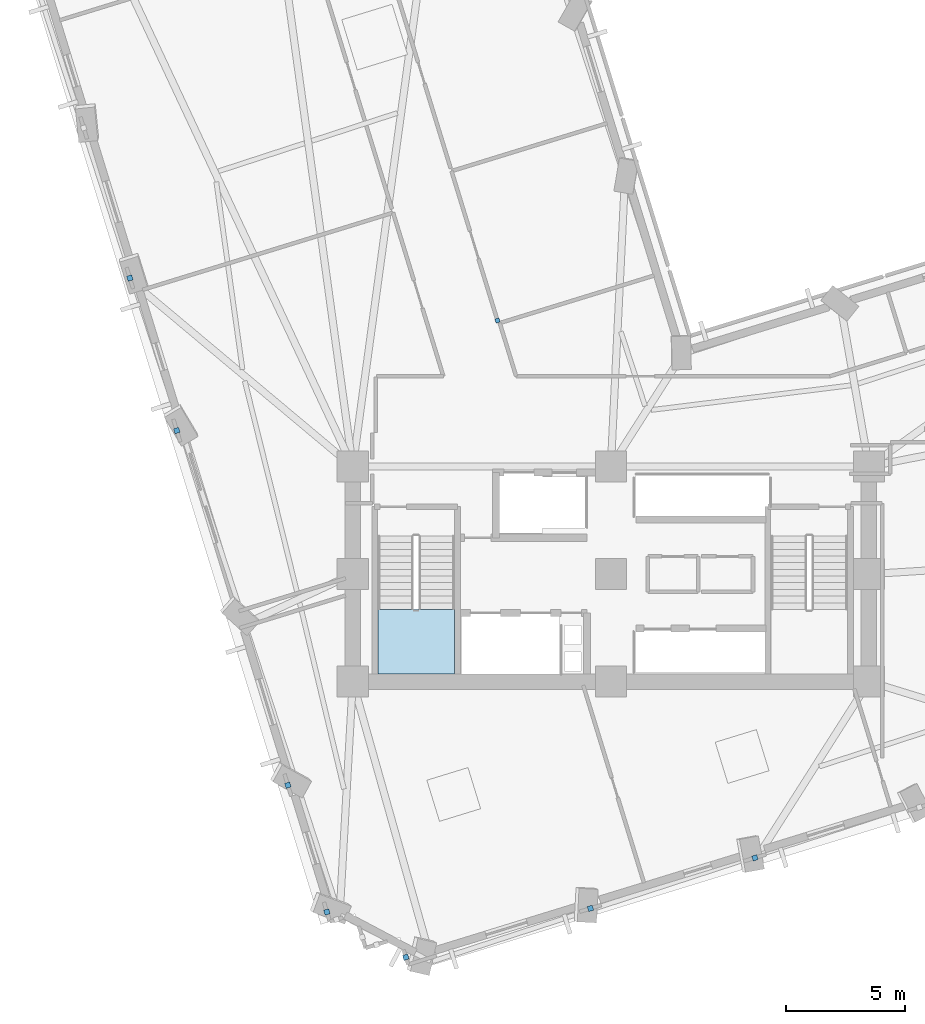
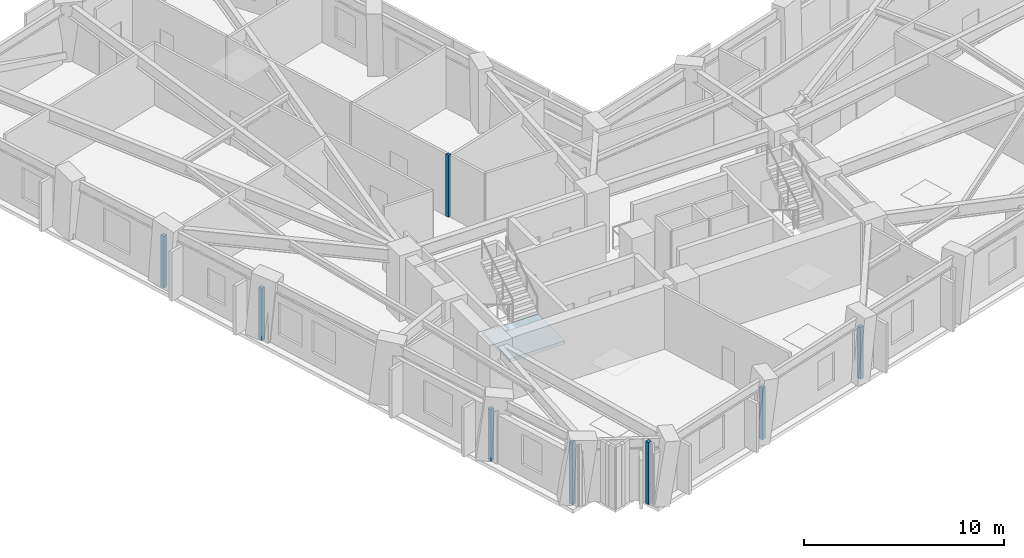
# One storey, part 3 of 14: 8 plates, 1 slab, 1 element without a shape of its own.
"""IFC4 building model written with IfcOpenShell, lengths in metres."""

import ifcopenshell
import ifcopenshell.guid

model = None  # the IFC model being written
_history = None  # IfcOwnerHistory: only IFC2X3 demands one
_inside = {}  # id of a spatial element -> (the spatial element, [elements in it])
_under = {}  # id of a project, library or spatial element -> (it, [spatial elements below it])
_declared = {}  # id of a project -> (the project, [libraries it declares])
_typed = {}  # id of a type object -> (the type object, [elements of that type])
_made_of = {}  # id of a material, layer set ... -> (it, [elements and type objects made of it])


def new_model(schema):
    """Start an empty IFC model of exactly this schema.

    Asked for "IFC4X3", IfcOpenShell would pick the latest addendum, in which some entities
    have other attributes; the version numbers below select the first issue.
    IFC2X3 requires an IfcOwnerHistory on every rooted entity: one is made here for all.
    """
    global model, _history
    if schema == "IFC4X3":
        model = ifcopenshell.file(schema_version=(4, 3, 0, 0))
    else:
        model = ifcopenshell.file(schema=schema)
    _inside.clear()
    _under.clear()
    _declared.clear()
    _typed.clear()
    _made_of.clear()
    _history = None
    if model.schema == "IFC2X3":
        org = make("IfcOrganization", Name="unknown")
        user = make(
            "IfcPersonAndOrganization",
            ThePerson=make("IfcPerson", FamilyName="unknown"),
            TheOrganization=org,
        )
        app = make(
            "IfcApplication",
            ApplicationDeveloper=org,
            Version="unknown",
            ApplicationFullName="unknown",
            ApplicationIdentifier="unknown",
        )
        _history = make(
            "IfcOwnerHistory",
            OwningUser=user,
            OwningApplication=app,
            ChangeAction="ADDED",
            CreationDate=0,
        )
    return model


def make(cls, **values):
    """One entity of the class cls with the attributes given. An attribute that is None is left unset."""
    return model.create_entity(
        cls, **{name: value for name, value in values.items() if value is not None}
    )


def rooted(cls, **values):
    """An entity with a GlobalId (a new one), such as an element, a storey or a relation."""
    return make(cls, GlobalId=ifcopenshell.guid.new(), OwnerHistory=_history, **values)


def si_unit(unit_type, name, prefix=None):
    """IfcSIUnit, for example si_unit("LENGTHUNIT", "METRE", prefix="MILLI")."""
    return make("IfcSIUnit", UnitType=unit_type, Prefix=prefix, Name=name)


def assignment(units):
    """IfcUnitAssignment: the units of a project."""
    return None if units is None else make("IfcUnitAssignment", Units=units)


def point(xyz):
    """IfcCartesianPoint."""
    return None if xyz is None else make("IfcCartesianPoint", Coordinates=xyz)


def direction(xyz):
    """IfcDirection."""
    return None if xyz is None else make("IfcDirection", DirectionRatios=xyz)


def frame(location, z_axis=None, x_axis=None):
    """IfcAxis2Placement3D, a coordinate frame: its origin and axes. An axis left out is left unset."""
    return make(
        "IfcAxis2Placement3D",
        Location=point(location),
        Axis=direction(z_axis),
        RefDirection=direction(x_axis),
    )


def frame_2d(location, x_axis=None):
    """IfcAxis2Placement2D, a coordinate frame in the plane: its origin and x axis."""
    return make(
        "IfcAxis2Placement2D", Location=point(location), RefDirection=direction(x_axis)
    )


def origin():
    """The frame at (0, 0, 0) with its axes left unset."""
    return frame((0.0, 0.0, 0.0))


def origin_2d():
    """The frame at (0, 0) in the plane with its x axis left unset."""
    return frame_2d((0.0, 0.0))


def place(relative_to, where):
    """IfcLocalPlacement: puts the frame where relative to a parent placement (None: the world)."""
    return make(
        "IfcLocalPlacement", PlacementRelTo=relative_to, RelativePlacement=where
    )


def context(
    kind, dimensions, precision=None, world=None, true_north=None, identifier=None
):
    """IfcGeometricRepresentationContext, for example the 3D "Model" context."""
    return make(
        "IfcGeometricRepresentationContext",
        ContextIdentifier=identifier,
        ContextType=kind,
        CoordinateSpaceDimension=dimensions,
        Precision=precision,
        WorldCoordinateSystem=world,
        TrueNorth=true_north,
    )


def subcontext(parent, identifier, kind, view, scale=None):
    """IfcGeometricRepresentationSubContext, for example "Body" below "Model"."""
    return make(
        "IfcGeometricRepresentationSubContext",
        ContextIdentifier=identifier,
        ContextType=kind,
        ParentContext=parent,
        TargetScale=scale,
        TargetView=view,
    )


def project(units=None, contexts=None):
    """IfcProject with its units and contexts."""
    return rooted(
        "IfcProject",
        Name="project",
        RepresentationContexts=contexts,
        UnitsInContext=assignment(units),
    )


def spatial(cls, under=None, at=None, **own):
    """A site, building, storey or space (cls), placed at a placement, below another one or the project."""
    s = rooted(cls, ObjectPlacement=at, **own)
    if under is not None:
        _under.setdefault(under.id(), (under, []))[1].append(s)
    return s


def polyline(points):
    """IfcPolyline through the points."""
    return make("IfcPolyline", Points=[point(p) for p in points])


def profile(cls, at=None, kind="AREA", **sizes):
    """A parametric profile (cls). Its sizes go by their IFC names, for example OverallWidth=200.0."""
    return make(cls, ProfileType=kind, Position=at, **sizes)


def rectangle(**sizes):
    """IfcRectangleProfileDef."""
    return profile("IfcRectangleProfileDef", **sizes)


def outline(outer, holes=None, kind="AREA"):
    """IfcArbitraryClosedProfileDef: a profile drawn as a closed curve; with holes, ...WithVoids."""
    if holes is None:
        return make("IfcArbitraryClosedProfileDef", ProfileType=kind, OuterCurve=outer)
    return make(
        "IfcArbitraryProfileDefWithVoids",
        ProfileType=kind,
        OuterCurve=outer,
        InnerCurves=holes,
    )


def extrude(swept, where, along, depth):
    """IfcExtrudedAreaSolid: the profile swept, set in the frame where, extruded along a direction by depth."""
    return make(
        "IfcExtrudedAreaSolid",
        SweptArea=swept,
        Position=where,
        ExtrudedDirection=direction(along),
        Depth=depth,
    )


def shape(context_of_items, identifier, shape_type, items):
    """IfcShapeRepresentation: the items that make up one representation, for example the "Body"."""
    return make(
        "IfcShapeRepresentation",
        ContextOfItems=context_of_items,
        RepresentationIdentifier=identifier,
        RepresentationType=shape_type,
        Items=items,
    )


def material(Name=None, Category=None):
    """IfcMaterial."""
    return make("IfcMaterial", Name=Name, Category=Category)


def layer(
    of_material, thickness, ventilated=None, Name=None, Category=None, Priority=None
):
    """IfcMaterialLayer: one layer of a wall or slab, of a material (None: an air gap)."""
    return make(
        "IfcMaterialLayer",
        Material=of_material,
        LayerThickness=thickness,
        IsVentilated=ventilated,
        Name=Name,
        Category=Category,
        Priority=Priority,
    )


def layer_set(layers, Name=None):
    """IfcMaterialLayerSet."""
    return make("IfcMaterialLayerSet", MaterialLayers=layers, LayerSetName=Name)


def made_of(thing, what):
    """Note that an element or type object is made of a material, layer set ...; save() writes the relation."""
    if what is not None:
        _made_of.setdefault(what.id(), (what, []))[1].append(thing)
    return thing


def type_object(cls, material=None, **own):
    """A type object (cls), such as IfcWallType, which elements share."""
    return made_of(rooted(cls, **own), material)


def element(
    cls,
    number,
    at=None,
    inside=None,
    cuts=None,
    type_object=None,
    material=None,
    context=None,
    identifier="Body",
    shape_type=None,
    held_by="IfcProductDefinitionShape",
    body=None,
    shapes=None,
    **own,
):
    """One element of the class cls, such as IfcWall. Its Tag is "e" and its number.

    at: its placement. inside: the storey or other place that contains it. cuts: it is an
    opening in that element (IfcRelVoidsElement). A single representation is given by context,
    identifier, shape_type and body (its items); several are given by shapes. held_by: the class
    of the entity that holds the representations. save() writes the other relations.
    """
    e = rooted(cls, Tag="e%d" % number, ObjectPlacement=at, **own)
    if body is not None:
        shapes = [shape(context, identifier, shape_type, body)]
    if shapes is not None:
        e.Representation = make(held_by, Representations=shapes)
    if inside is not None:
        _inside.setdefault(inside.id(), (inside, []))[1].append(e)
    if cuts is not None:
        rooted(
            "IfcRelVoidsElement", RelatingBuildingElement=cuts, RelatedOpeningElement=e
        )
    if type_object is not None:
        _typed.setdefault(type_object.id(), (type_object, []))[1].append(e)
    return made_of(e, material)


def aggregate(whole, parts):
    """IfcRelAggregates: a whole, such as a stair, and the parts it consists of."""
    return rooted("IfcRelAggregates", RelatingObject=whole, RelatedObjects=parts)


def save(model, path):
    """Write the relations noted so far, then the file.

    IfcRelAggregates (storeys below a building ...), IfcRelContainedInSpatialStructure (elements
    in a storey), IfcRelDefinesByType, IfcRelAssociatesMaterial and IfcRelDeclares: one each for
    every whole, place, type object, material and project.
    """
    for whole, parts in _under.values():
        aggregate(whole, parts)
    for where, things in _inside.values():
        rooted(
            "IfcRelContainedInSpatialStructure",
            RelatedElements=things,
            RelatingStructure=where,
        )
    for kind, things in _typed.values():
        rooted("IfcRelDefinesByType", RelatedObjects=things, RelatingType=kind)
    for what, things in _made_of.values():
        rooted("IfcRelAssociatesMaterial", RelatedObjects=things, RelatingMaterial=what)
    for by, libraries in _declared.values():
        rooted("IfcRelDeclares", RelatingContext=by, RelatedDefinitions=libraries)
    model.write(path)


model = new_model("IFC4")

# Units and contexts
model_context = context("Model", 3, precision=1e-05, world=origin(), true_north=direction((0.0, 1.0)))
body_context = subcontext(model_context, "Body", "Model", "MODEL_VIEW")
ifc_project = project(units=[si_unit("LENGTHUNIT", "METRE"), si_unit("AREAUNIT", "SQUARE_METRE"), si_unit("VOLUMEUNIT", "CUBIC_METRE"), si_unit("PLANEANGLEUNIT", "RADIAN"), si_unit("MASSUNIT", "GRAM", prefix="KILO")], contexts=[model_context])

# Site, building, storey
site_placement = place(None, origin())
site = spatial("IfcSite", under=ifc_project, at=site_placement, CompositionType="ELEMENT")
building_placement = place(site_placement, origin())
building = spatial("IfcBuilding", under=site, at=building_placement, Name="Gaonmaruhae Medical Tower", CompositionType="ELEMENT")
storey_placement = place(building_placement, frame((0.0, 0.0, 96.39990234375)))
storey = spatial("IfcBuildingStorey", under=building, at=storey_placement, Name="L22", CompositionType="ELEMENT", Elevation=96.39990234375)

# Plates
ifc_material_1 = material(Name="Anodised aluminium 6063-T6", Category="aluminium")
ifc_layer_1 = layer(ifc_material_1, 0.011962890625)
ifc_layer_set_1 = layer_set([ifc_layer_1], Name="Anodised aluminium 6063-T6")
plate_type = type_object("IfcPlateType", Name="PP-01 Interior Partition Corner Stiffener Plate", PredefinedType="SHEET", material=ifc_layer_set_1)
plate_1_placement = place(storey_placement, frame((20.055419921875, 22.91455078125, 0.0), z_axis=(0.0, 0.0, 1.0), x_axis=(-0.293990279624, 0.955808409404, 0.0)))
element("IfcPlate", 1, at=plate_1_placement, inside=storey, type_object=plate_type, Name="L22 Partition End Jamb Post Plate PLT-L22-ENDP-PW075-0", PredefinedType="SHEET", context=body_context, shape_type="SweptSolid", body=[
    extrude(rectangle(XDim=0.179931640625, YDim=0.179931640625, at=origin_2d()), origin(), (0.0, 0.0, 1.0), 3.780029296875),
])
plate_2_placement = place(storey_placement, frame((23.947509765625, -1.68896484375, 0.0), z_axis=(0.0, 0.0, 1.0), x_axis=(-0.955690317134, -0.294373942013, 0.0)))
element("IfcPlate", 2, at=plate_2_placement, inside=storey, type_object=plate_type, Name="L22 Partition Corner Stiffener Plate PLT-L22-JGP-PW010", PredefinedType="SHEET", context=body_context, shape_type="SweptSolid", body=[
    extrude(rectangle(XDim=0.219970703125, YDim=0.219970703125, at=origin_2d()), origin(), (0.0, 0.0, 1.0), 3.1650390625),
])
for number, where, z_axis, x_axis, name in (
    (3, (16.220947265625, -3.7314453125, 0.0), (0.0, 0.0, 1.0), (-0.294090370034, 0.955777617573, 0.0), "L22 Partition Corner Stiffener Plate PLT-L22-JGP-PW012"),
    (4, (12.91796875, -1.8369140625, 0.0), (0.0, 0.0, 1.0), (-0.294090370034, 0.955777617573, 0.0), "L22 Partition Corner Stiffener Plate PLT-L22-JGP-PW016"),
):
    element("IfcPlate", number, at=place(storey_placement, frame(where, z_axis=z_axis, x_axis=x_axis)), inside=storey, type_object=plate_type, Name=name, PredefinedType="SHEET", context=body_context, shape_type="SweptSolid", body=[
        extrude(rectangle(XDim=0.219970703125, YDim=0.219970703125, at=origin_2d()), origin(), (0.0, 0.0, 1.0), 3.780029296875),
    ])
for number, where, z_axis, x_axis, name in (
    (5, (11.285888671875, 3.469482421875, 0.0), (0.0, 0.0, 1.0), (-0.294090370034, 0.955777617573, 0.0), "L22 Partition Corner Stiffener Plate PLT-L22-JGP-PW017"),
    (6, (30.8291015625, 0.427978515625, 0.0), (0.0, 0.0, 1.0), (-0.955777617573, -0.294090370034, 0.0), "L22 Partition Corner Stiffener Plate PLT-L22-JGP-PW018"),
    (7, (6.636962890625, 18.306884765625, 0.0), (0.0, 0.0, 1.0), (-0.294373942013, 0.955690317134, 0.0), "L22 Partition Corner Stiffener Plate PLT-L22-JGP-PW043"),
    (8, (4.673583984375, 24.6884765625, 0.0), (0.0, 0.0, 1.0), (-0.294157095183, 0.955757083863, 0.0), "L22 Partition Corner Stiffener Plate PLT-L22-JGP-PW049"),
):
    element("IfcPlate", number, at=place(storey_placement, frame(where, z_axis=z_axis, x_axis=x_axis)), inside=storey, type_object=plate_type, Name=name, PredefinedType="SHEET", context=body_context, shape_type="SweptSolid", body=[
        extrude(rectangle(XDim=0.219970703125, YDim=0.219970703125, at=origin_2d()), origin(), (0.0, 0.0, 1.0), 3.1650390625),
    ])

# Stair, slab
ifc_material_2 = material(Name="Concrete C40/50", Category="concrete")
stair_type = type_object("IfcStairType", Name="ST-T1 Primary Core Escape Dogleg Stair", PredefinedType="TWO_QUARTER_TURN_STAIR", material=ifc_material_2)
stair_placement = place(storey_placement, origin())
stair = element("IfcStair", 9, at=stair_placement, inside=storey, type_object=stair_type, Name="L22 Protected Escape Stair ST-01", PredefinedType="TWO_QUARTER_TURN_STAIR")
ifc_layer_2 = layer(ifc_material_2, 0.199951171875)
ifc_layer_set_2 = layer_set([ifc_layer_2], Name="Concrete C40/50")
slab_type = type_object("IfcSlabType", Name="SL-200 Stair & Ramp Intermediate Concrete Landing", PredefinedType="LANDING", material=ifc_layer_set_2)
slab_placement = place(storey_placement, frame((0.0, 0.0, 1.800048828125)))
slab = element("IfcSlab", 10, at=slab_placement, type_object=slab_type, Name="ST-01 landing 1", PredefinedType="LANDING", context=body_context, shape_type="SweptSolid", body=[
    extrude(outline(polyline([(15.050048828125, 10.820068359375), (15.050048828125, 8.12890625), (18.25, 8.12890625), (18.25, 10.820068359375), (15.050048828125, 10.820068359375)])), origin(), (0.0, 0.0, 1.0), 0.199951171875),
])
aggregate(stair, [slab])

save(model, "model.ifc")
